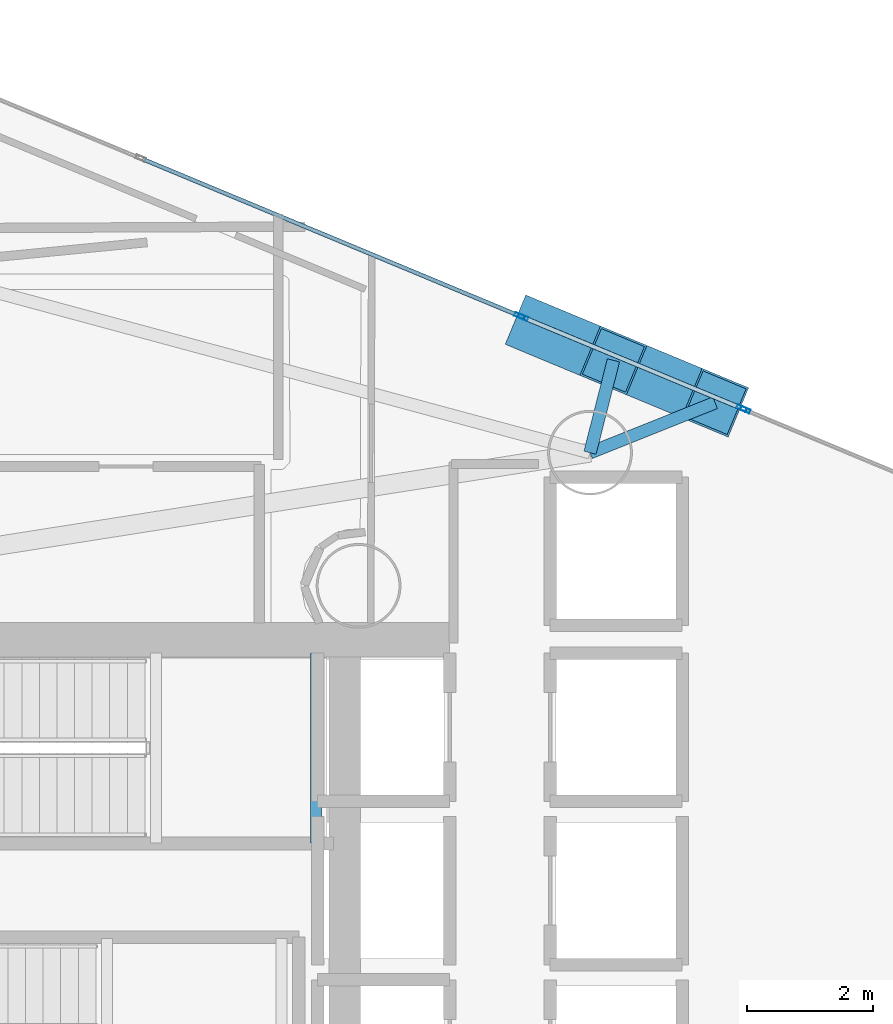
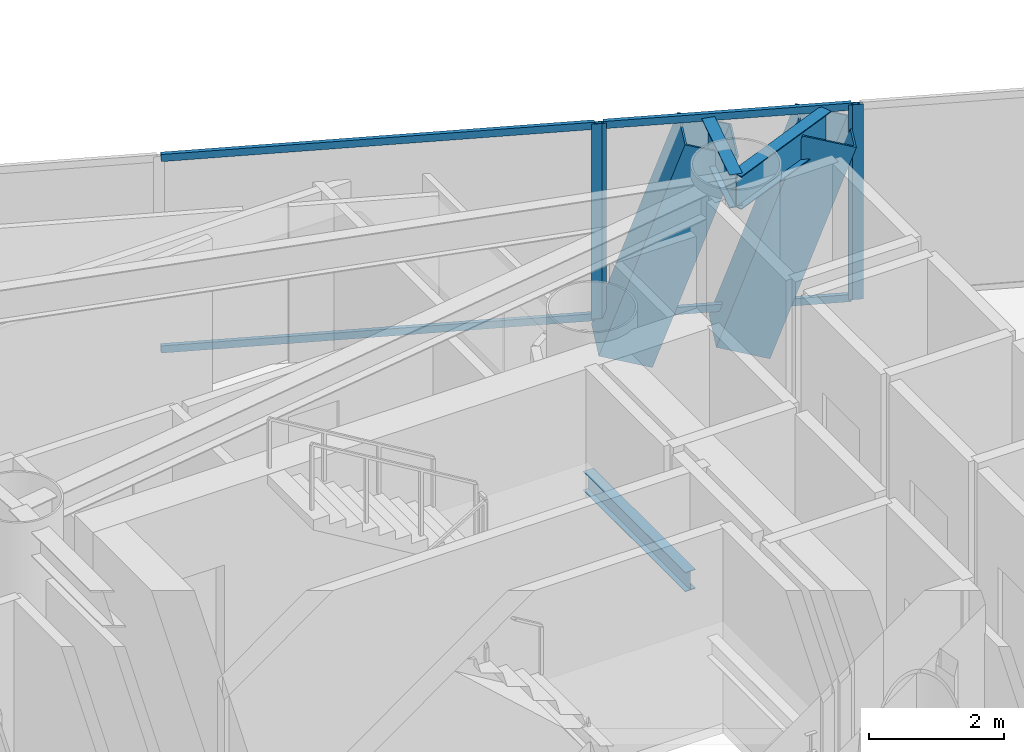
# One storey, part 13 of 22: 10 members, 3 beams, 3 elements without a shape of their own.
"""IFC4 building model written with IfcOpenShell, lengths in metres."""

from ifc_helpers import new_model, si_unit, direction, frame, origin, origin_2d, place, context, subcontext, project, spatial, hollow_rectangle, i_section, extrude, material, layer, layer_set, material_profile, profile_set, type_object, element, aggregate, save


model = new_model("IFC4")

# Units and contexts
model_context = context("Model", 3, precision=1e-05, world=origin(), true_north=direction((0.0, 1.0)))
body_context = subcontext(model_context, "Body", "Model", "MODEL_VIEW")
ifc_project = project(units=[si_unit("LENGTHUNIT", "METRE"), si_unit("AREAUNIT", "SQUARE_METRE"), si_unit("VOLUMEUNIT", "CUBIC_METRE"), si_unit("PLANEANGLEUNIT", "RADIAN"), si_unit("MASSUNIT", "GRAM", prefix="KILO")], contexts=[model_context])

# Site, building, storey
site_placement = place(None, origin())
site = spatial("IfcSite", under=ifc_project, at=site_placement, CompositionType="ELEMENT")
building_placement = place(site_placement, origin())
building = spatial("IfcBuilding", under=site, at=building_placement, Name="Qianvela Tower", CompositionType="ELEMENT")
storey_placement = place(building_placement, frame((0.0, 0.0, 155.0)))
storey = spatial("IfcBuildingStorey", under=building, at=storey_placement, Name="L39", CompositionType="ELEMENT", Elevation=155.0)

# Beams
ifc_material_1 = material(Name="Steel Q355B", Category="steel")
ifc_material_profile_1 = material_profile(ifc_material_1, i_section(OverallWidth=0.175048828125, OverallDepth=0.35009765625, WebThickness=0.007080078125, FlangeThickness=0.010986328125, at=origin_2d()), Name="HN350x175x7x11")
ifc_profile_set_1 = profile_set([ifc_material_profile_1], Name="Steel Q355B")
beam_type_1 = type_object("IfcBeamType", Name="BM-HN350-JOIST", PredefinedType="JOIST", material=ifc_profile_set_1)
beam_1_placement = place(storey_placement, frame((37.719970703125, 29.4599609375, 1.47509765625), z_axis=(0.0, 1.0, 0.0), x_axis=(-1.0, 0.0, 0.0)))
element("IfcBeam", 1, at=beam_1_placement, inside=storey, type_object=beam_type_1, Name="L39 Stair ST-1 Landing Support Beam 1.2", PredefinedType="JOIST", context=body_context, shape_type="SweptSolid", body=[
    extrude(i_section(OverallWidth=0.175048828125, OverallDepth=0.35009765625, WebThickness=0.007080078125, FlangeThickness=0.010986328125, at=origin_2d()), origin(), (0.0, 0.0, 1.0), 3.02001953125),
])
ifc_material_2 = material(Name="Steel Q355B", Category="steel")
ifc_material_profile_2 = material_profile(ifc_material_2, i_section(OverallWidth=0.199951171875, OverallDepth=0.60009765625, WebThickness=0.010986328125, FlangeThickness=0.01708984375, at=origin_2d()), Name="HN600x200x11x17")
ifc_profile_set_2 = profile_set([ifc_material_profile_2], Name="Steel Q355B")
beam_type_2 = type_object("IfcBeamType", Name="BM-HN600-GIRD", PredefinedType="BEAM", material=ifc_profile_set_2)
beam_2_placement = place(storey_placement, frame((42.0830078125, 35.6689453125, 3.218017578125), z_axis=(0.928633673952, 0.370997977895, 0.0), x_axis=(-0.370997977895, 0.928633673952, 0.0)))
element("IfcBeam", 2, at=beam_2_placement, inside=storey, type_object=beam_type_2, Name="L39 Mega-Brace Column Tie Bracket F1-1", PredefinedType="BEAM", context=body_context, shape_type="SweptSolid", body=[
    extrude(i_section(OverallWidth=0.199951171875, OverallDepth=0.60009765625, WebThickness=0.010986328125, FlangeThickness=0.01708984375, at=origin_2d()), origin(), (0.0, 0.0, 1.0), 2.14404296875),
])
beam_3_placement = place(storey_placement, frame((42.0830078125, 35.6689453125, 3.218017578125), z_axis=(0.24602171098, 0.969264317783, 0.0), x_axis=(-0.969264317783, 0.24602171098, 0.0)))
element("IfcBeam", 3, at=beam_3_placement, inside=storey, type_object=beam_type_2, Name="L39 Mega-Brace Column Tie Bracket F1-2", PredefinedType="BEAM", context=body_context, shape_type="SweptSolid", body=[
    extrude(i_section(OverallWidth=0.199951171875, OverallDepth=0.60009765625, WebThickness=0.010986328125, FlangeThickness=0.01708984375, at=origin_2d()), origin(), (0.0, 0.0, 1.0), 1.515380859375),
])

# Curtain wall, members
ifc_material_3 = material(Name="Anodised Architectural Aluminium and Insulated Spandrel Panel", Category="aluminium")
ifc_layer_1 = layer(ifc_material_3, 0.179931640625)
ifc_layer_set_1 = layer_set([ifc_layer_1], Name="Anodised Architectural Aluminium and Insulated Spandrel Panel")
curtain_wall_type_1 = type_object("IfcCurtainWallType", Name="CW-BRACEBAY", PredefinedType="USERDEFINED", material=ifc_layer_set_1)
curtain_wall_1_placement = place(storey_placement, origin())
curtain_wall_1 = element("IfcCurtainWall", 4, at=curtain_wall_1_placement, inside=storey, type_object=curtain_wall_type_1, Name="L39 CW-BRACEBAY Curtain Wall 02B", ObjectType="CURTAIN_WALL_SYSTEM", PredefinedType="USERDEFINED")
ifc_material_4 = material(Name="Anodised Architectural Aluminium 6063-T6", Category="aluminium")
ifc_material_profile_3 = material_profile(ifc_material_4, hollow_rectangle(XDim=0.06494140625, YDim=0.159912109375, WallThickness=0.0048828125, at=origin_2d()), Name="ALU-MULL-65x160")
ifc_profile_set_3 = profile_set([ifc_material_profile_3], Name="Anodised Architectural Aluminium 6063-T6")
member_type_1 = type_object("IfcMemberType", Name="CW-BRACEBAY-MULL", PredefinedType="MULLION", material=ifc_profile_set_3)
member_1_placement = place(storey_placement, frame((44.494873046875, 36.3759765625, 0.0), z_axis=(0.0, 0.0, 1.0), x_axis=(-0.38417595899, -0.92325989436, 0.0)))
member_1 = element("IfcMember", 5, at=member_1_placement, type_object=member_type_1, Name="CW-9 mullion 1", PredefinedType="MULLION", context=body_context, shape_type="SweptSolid", body=[
    extrude(hollow_rectangle(XDim=0.06494140625, YDim=0.159912109375, WallThickness=0.0048828125, at=origin_2d()), origin(), (0.0, 0.0, 1.0), 3.52001953125),
])
member_2_placement = place(storey_placement, frame((41.018798828125, 37.822265625, 0.0), z_axis=(0.0, 0.0, 1.0), x_axis=(-0.38417595899, -0.92325989436, 0.0)))
member_2 = element("IfcMember", 6, at=member_2_placement, type_object=member_type_1, Name="CW-9 mullion 2", PredefinedType="MULLION", context=body_context, shape_type="SweptSolid", body=[
    extrude(hollow_rectangle(XDim=0.06494140625, YDim=0.159912109375, WallThickness=0.0048828125, at=origin_2d()), origin(), (0.0, 0.0, 1.0), 3.52001953125),
])
ifc_material_5 = material(Name="Anodised Architectural Aluminium 6063-T6", Category="aluminium")
ifc_material_profile_4 = material_profile(ifc_material_5, hollow_rectangle(XDim=0.06494140625, YDim=0.1298828125, WallThickness=0.00439453125, at=origin_2d()), Name="ALU-TRAN-65x130")
ifc_profile_set_4 = profile_set([ifc_material_profile_4], Name="Anodised Architectural Aluminium 6063-T6")
member_type_2 = type_object("IfcMemberType", Name="CW-BRACEBAY-TRAN", PredefinedType="USERDEFINED", material=ifc_profile_set_4)
member_3_placement = place(storey_placement, frame((44.46484375, 36.388427734375, 0.032470703125), z_axis=(-0.923264226936, 0.384165546685, 0.0), x_axis=(-0.384165546685, -0.923264226936, 0.0)))
member_3 = element("IfcMember", 7, at=member_3_placement, type_object=member_type_2, Name="CW-9 transom 1.1", ObjectType="TRANSOM", PredefinedType="USERDEFINED", context=body_context, shape_type="SweptSolid", body=[
    extrude(hollow_rectangle(XDim=0.06494140625, YDim=0.1298828125, WallThickness=0.00439453125, at=origin_2d()), origin(), (0.0, 0.0, 1.0), 3.699951171875),
])
member_4_placement = place(storey_placement, frame((44.46484375, 36.388427734375, 3.487548828125), z_axis=(-0.923264226936, 0.384165546685, 0.0), x_axis=(-0.384165546685, -0.923264226936, 0.0)))
member_4 = element("IfcMember", 8, at=member_4_placement, type_object=member_type_2, Name="CW-9 transom 1.2", ObjectType="TRANSOM", PredefinedType="USERDEFINED", context=body_context, shape_type="SweptSolid", body=[
    extrude(hollow_rectangle(XDim=0.06494140625, YDim=0.1298828125, WallThickness=0.00439453125, at=origin_2d()), origin(), (0.0, 0.0, 1.0), 3.699951171875),
])
aggregate(curtain_wall_1, [member_1, member_2, member_3, member_4])

# Curtain wall, member
ifc_material_6 = material(Name="Anodised Architectural Aluminium and Low-E Glass", Category="aluminium")
ifc_layer_2 = layer(ifc_material_6, 0.169921875)
ifc_layer_set_2 = layer_set([ifc_layer_2], Name="Anodised Architectural Aluminium and Low-E Glass")
curtain_wall_type_2 = type_object("IfcCurtainWallType", Name="CW-COLIV-Z34", PredefinedType="USERDEFINED", material=ifc_layer_set_2)
curtain_wall_2_placement = place(storey_placement, origin())
curtain_wall_2 = element("IfcCurtainWall", 9, at=curtain_wall_2_placement, inside=storey, type_object=curtain_wall_type_2, Name="L39 CW-COLIV-Z34 Curtain Wall 02A", ObjectType="CURTAIN_WALL_SYSTEM", PredefinedType="USERDEFINED")
ifc_material_7 = material(Name="Anodised Architectural Aluminium 6063-T6", Category="aluminium")
ifc_material_profile_5 = material_profile(ifc_material_7, hollow_rectangle(XDim=0.06494140625, YDim=0.159912109375, WallThickness=0.0048828125, at=origin_2d()), Name="ALU-MULL-65x160")
ifc_profile_set_5 = profile_set([ifc_material_profile_5], Name="Anodised Architectural Aluminium 6063-T6")
member_type_3 = type_object("IfcMemberType", Name="CW-COLIV-Z34-MULL", PredefinedType="MULLION", material=ifc_profile_set_5)
member_5_placement = place(storey_placement, frame((44.5546875, 36.350830078125, 0.0), z_axis=(0.0, 0.0, 1.0), x_axis=(-0.384185162633, -0.923256064596, 0.0)))
member_5 = element("IfcMember", 10, at=member_5_placement, type_object=member_type_3, Name="CW-4 mullion 3", PredefinedType="MULLION", context=body_context, shape_type="SweptSolid", body=[
    extrude(hollow_rectangle(XDim=0.06494140625, YDim=0.159912109375, WallThickness=0.0048828125, at=origin_2d()), origin(), (0.0, 0.0, 1.0), 3.52001953125),
])
aggregate(curtain_wall_2, [member_5])

# Curtain wall, members
curtain_wall_3_placement = place(storey_placement, origin())
curtain_wall_3 = element("IfcCurtainWall", 11, at=curtain_wall_3_placement, inside=storey, type_object=curtain_wall_type_2, Name="L39 CW-COLIV-Z34 Curtain Wall 02C", ObjectType="CURTAIN_WALL_SYSTEM", PredefinedType="USERDEFINED")
member_6_placement = place(storey_placement, frame((40.958740234375, 37.84716796875, 0.0), z_axis=(0.0, 0.0, 1.0), x_axis=(-0.384186698847, -0.923255425345, 0.0)))
member_6 = element("IfcMember", 12, at=member_6_placement, type_object=member_type_3, Name="CW-4 mullion 1", PredefinedType="MULLION", context=body_context, shape_type="SweptSolid", body=[
    extrude(hollow_rectangle(XDim=0.06494140625, YDim=0.159912109375, WallThickness=0.0048828125, at=origin_2d()), origin(), (0.0, 0.0, 1.0), 3.52001953125),
])
ifc_material_8 = material(Name="Anodised Architectural Aluminium 6063-T6", Category="aluminium")
ifc_material_profile_6 = material_profile(ifc_material_8, hollow_rectangle(XDim=0.06494140625, YDim=0.1298828125, WallThickness=0.00439453125, at=origin_2d()), Name="ALU-TRAN-65x130")
ifc_profile_set_6 = profile_set([ifc_material_profile_6], Name="Anodised Architectural Aluminium 6063-T6")
member_type_4 = type_object("IfcMemberType", Name="CW-COLIV-Z34-TRAN", PredefinedType="USERDEFINED", material=ifc_profile_set_6)
member_7_placement = place(storey_placement, frame((40.9287109375, 37.85986328125, 0.032470703125), z_axis=(-0.923257894608, 0.384180764803, 0.0), x_axis=(-0.384180764803, -0.923257894608, 0.0)))
member_7 = element("IfcMember", 13, at=member_7_placement, type_object=member_type_4, Name="CW-4 transom 1.1", ObjectType="TRANSOM", PredefinedType="USERDEFINED", context=body_context, shape_type="SweptSolid", body=[
    extrude(hollow_rectangle(XDim=0.06494140625, YDim=0.1298828125, WallThickness=0.00439453125, at=origin_2d()), origin(), (0.0, 0.0, 1.0), 6.462158203125),
])
member_8_placement = place(storey_placement, frame((40.9287109375, 37.85986328125, 3.487548828125), z_axis=(-0.923257894608, 0.384180764803, 0.0), x_axis=(-0.384180764803, -0.923257894608, 0.0)))
member_8 = element("IfcMember", 14, at=member_8_placement, type_object=member_type_4, Name="CW-4 transom 1.2", ObjectType="TRANSOM", PredefinedType="USERDEFINED", context=body_context, shape_type="SweptSolid", body=[
    extrude(hollow_rectangle(XDim=0.06494140625, YDim=0.1298828125, WallThickness=0.00439453125, at=origin_2d()), origin(), (0.0, 0.0, 1.0), 6.462158203125),
])
aggregate(curtain_wall_3, [member_6, member_7, member_8])

# Members
ifc_material_9 = material(Name="Steel Q420GJC", Category="steel")
ifc_material_profile_7 = material_profile(ifc_material_9, hollow_rectangle(XDim=0.85009765625, YDim=0.85009765625, WallThickness=0.031982421875, at=origin_2d()), Name="MBOX-850x850x32")
ifc_profile_set_7 = profile_set([ifc_material_profile_7], Name="Steel Q420GJC")
member_type_5 = type_object("IfcMemberType", Name="MBR-MBRACE-850", PredefinedType="BRACE", material=ifc_profile_set_7)
member_9_placement = place(storey_placement, frame((42.8857421875, 36.958740234375, -0.48193359375), z_axis=(0.303322405171, -0.12620256225, 0.944493743655), x_axis=(0.384143888961, 0.923273238307, 0.0)))
element("IfcMember", 15, at=member_9_placement, inside=storey, type_object=member_type_5, Name="L39 Tier 6 Exterior Mega-Brace F1A", PredefinedType="BRACE", context=body_context, shape_type="SweptSolid", body=[
    extrude(hollow_rectangle(XDim=0.85009765625, YDim=0.85009765625, WallThickness=0.031982421875, at=origin_2d()), origin(), (0.0, 0.0, 1.0), 3.91748046875),
])
member_10_placement = place(storey_placement, frame((41.267822265625, 37.632080078125, -0.48193359375), z_axis=(0.30326581524, -0.126204947773, 0.944511596787), x_axis=(0.384211180825, 0.92324523748, 0.0)))
element("IfcMember", 16, at=member_10_placement, inside=storey, type_object=member_type_5, Name="L39 Tier 6 Exterior Mega-Brace F1B", PredefinedType="BRACE", context=body_context, shape_type="SweptSolid", body=[
    extrude(hollow_rectangle(XDim=0.85009765625, YDim=0.85009765625, WallThickness=0.031982421875, at=origin_2d()), origin(), (0.0, 0.0, 1.0), 3.917236328125),
])

save(model, "model.ifc")
